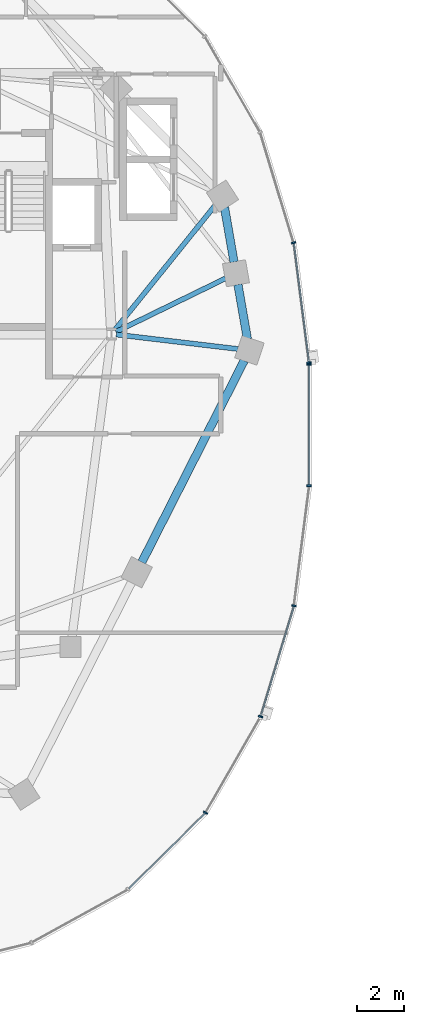
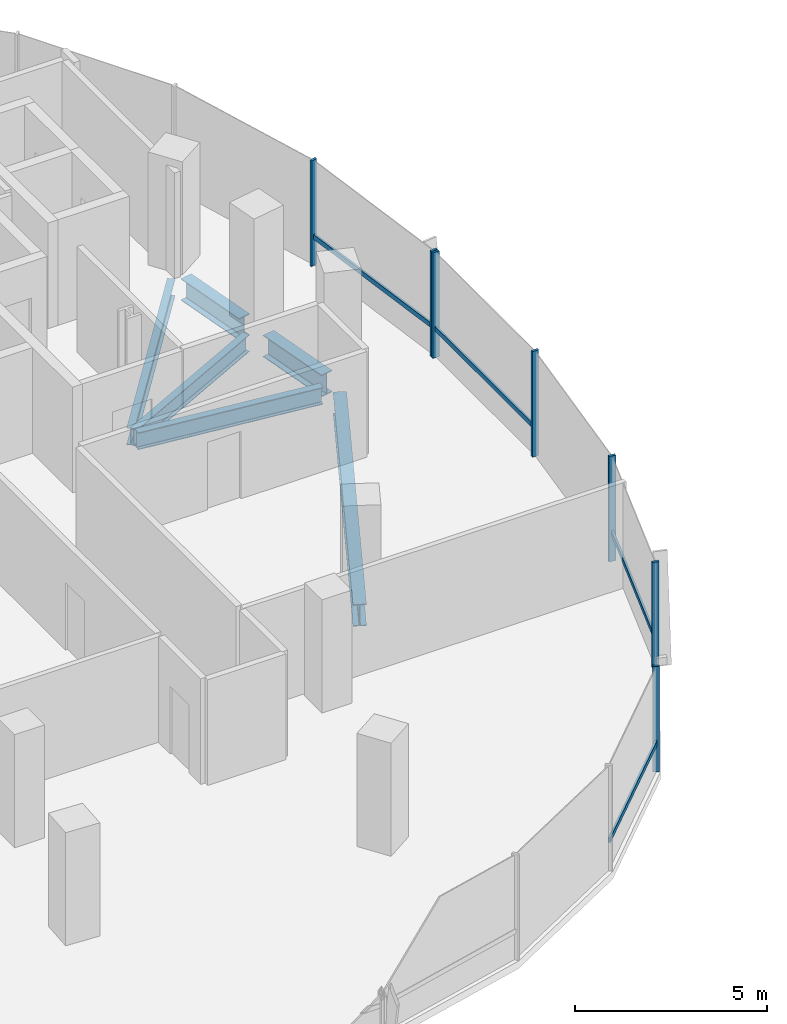
# One storey, part 4 of 22: 11 members, 6 beams, 2 elements without a shape of their own.
"""IFC4 building model written with IfcOpenShell, lengths in metres."""

from ifc_helpers import new_model, si_unit, direction, frame, origin, origin_2d, place, context, subcontext, project, spatial, rectangle, i_section, extrude, material, material_profile, profile_set, type_object, element, aggregate, save


model = new_model("IFC4")

# Units and contexts
model_context = context("Model", 3, precision=1e-05, world=origin(), true_north=direction((0.0, 1.0)))
body_context = subcontext(model_context, "Body", "Model", "MODEL_VIEW")
ifc_project = project(units=[si_unit("LENGTHUNIT", "METRE"), si_unit("AREAUNIT", "SQUARE_METRE"), si_unit("VOLUMEUNIT", "CUBIC_METRE"), si_unit("PLANEANGLEUNIT", "RADIAN"), si_unit("MASSUNIT", "GRAM", prefix="KILO"), si_unit("THERMODYNAMICTEMPERATUREUNIT", "KELVIN"), si_unit("POWERUNIT", "WATT")], contexts=[model_context])

# Site, building, storey
site_placement = place(None, origin())
site = spatial("IfcSite", under=ifc_project, at=site_placement, CompositionType="ELEMENT")
building_placement = place(site_placement, origin())
building = spatial("IfcBuilding", under=site, at=building_placement, Name="Cundina Bronze Exchange", CompositionType="ELEMENT")
storey_placement = place(building_placement, frame((0.0, 0.0, 165.60009765625)))
storey = spatial("IfcBuildingStorey", under=building, at=storey_placement, Name="L43", CompositionType="ELEMENT", Elevation=165.60009765625)

# Beams
ifc_material_1 = material(Name="Steel ASTM A992 Grade 50", Category="steel")
ifc_material_profile_1 = material_profile(ifc_material_1, i_section(OverallWidth=0.2119140625, OverallDepth=0.5439453125, WebThickness=0.01318359375, FlangeThickness=0.021240234375, FilletRadius=0.013916015625, at=origin_2d()), Name="W21X83", Category="steel")
ifc_profile_set_1 = profile_set([ifc_material_profile_1], Name="Steel ASTM A992 Grade 50")
beam_type_1 = type_object("IfcBeamType", Name="BM-FLR-W21A", PredefinedType="BEAM", material=ifc_profile_set_1)
beam_1_placement = place(storey_placement, frame((-21.247314453125, 3.8759765625, -0.51220703125), z_axis=(0.993036158382, -0.11780996624, 0.0), x_axis=(0.11780996624, 0.993036158382, 0.0)))
element("IfcBeam", 1, at=beam_1_placement, inside=storey, type_object=beam_type_1, Name="L43 Leg W Radial Floor Beam 00", PredefinedType="BEAM", context=body_context, shape_type="SweptSolid", body=[
    extrude(i_section(OverallWidth=0.2119140625, OverallDepth=0.5439453125, WebThickness=0.01318359375, FlangeThickness=0.021240234375, FilletRadius=0.013916015625, at=origin_2d()), origin(), (0.0, 0.0, 1.0), 5.249267578125),
])
beam_2_placement = place(storey_placement, frame((-21.2666015625, 3.989501953125, -0.51220703125), z_axis=(0.898604300669, 0.438759969481, 0.0), x_axis=(-0.438759969481, 0.898604300669, 0.0)))
element("IfcBeam", 2, at=beam_2_placement, inside=storey, type_object=beam_type_1, Name="L43 Leg W Radial Floor Beam 01", PredefinedType="BEAM", context=body_context, shape_type="SweptSolid", body=[
    extrude(i_section(OverallWidth=0.2119140625, OverallDepth=0.5439453125, WebThickness=0.01318359375, FlangeThickness=0.021240234375, FilletRadius=0.013916015625, at=origin_2d()), origin(), (0.0, 0.0, 1.0), 5.23388671875),
])
beam_3_placement = place(storey_placement, frame((-21.322021484375, 4.058837890625, -0.51220703125), z_axis=(0.627088684379, 0.778947868553, 0.0), x_axis=(-0.778947868553, 0.627088684379, 0.0)))
element("IfcBeam", 3, at=beam_3_placement, inside=storey, type_object=beam_type_1, Name="L43 Leg W Radial Floor Beam 02", PredefinedType="BEAM", context=body_context, shape_type="SweptSolid", body=[
    extrude(i_section(OverallWidth=0.2119140625, OverallDepth=0.5439453125, WebThickness=0.01318359375, FlangeThickness=0.021240234375, FilletRadius=0.013916015625, at=origin_2d()), origin(), (0.0, 0.0, 1.0), 6.882568359375),
])
ifc_material_profile_2 = material_profile(ifc_material_1, i_section(OverallWidth=0.35498046875, OverallDepth=0.695068359375, WebThickness=0.015380859375, FlangeThickness=0.02490234375, FilletRadius=0.01806640625, at=origin_2d()), Name="W27X146", Category="steel")
ifc_profile_set_2 = profile_set([ifc_material_profile_2], Name="Steel ASTM A992 Grade 50")
beam_type_2 = type_object("IfcBeamType", Name="BM-RING-W27", PredefinedType="USERDEFINED", material=ifc_profile_set_2)
for number, where, z_axis, x_axis, name in (
    (4, (-15.6337890625, 3.680908203125, -0.587646484375), (-0.171666718895, 0.985155083032, 0.0), (-0.985155083032, -0.171666718895, 0.0), "L43 W Perimeter Ring Girder 00"),
    (5, (-16.208740234375, 6.980712890625, -0.587646484375), (-0.171666718895, 0.985155083032, 0.0), (-0.985155083032, -0.171666718895, 0.0), "L43 W Perimeter Ring Girder 01"),
):
    element("IfcBeam", number, at=place(storey_placement, frame(where, z_axis=z_axis, x_axis=x_axis)), inside=storey, type_object=beam_type_2, Name=name, ObjectType="GIRDER", PredefinedType="USERDEFINED", context=body_context, shape_type="SweptSolid", body=[
        extrude(i_section(OverallWidth=0.35498046875, OverallDepth=0.695068359375, WebThickness=0.015380859375, FlangeThickness=0.02490234375, FilletRadius=0.01806640625, at=origin_2d()), origin(), (0.0, 0.0, 1.0), 2.37353515625),
    ])
beam_4_placement = place(storey_placement, frame((-20.154052734375, -5.864990234375, -0.587646484375), z_axis=(0.452834585354, 0.891594548159, 0.0), x_axis=(-0.891594548159, 0.452834585354, 0.0)))
element("IfcBeam", 6, at=beam_4_placement, inside=storey, type_object=beam_type_2, Name="L43 W Perimeter Ring Girder 13", ObjectType="GIRDER", PredefinedType="USERDEFINED", context=body_context, shape_type="SweptSolid", body=[
    extrude(i_section(OverallWidth=0.35498046875, OverallDepth=0.695068359375, WebThickness=0.015380859375, FlangeThickness=0.02490234375, FilletRadius=0.01806640625, at=origin_2d()), origin(), (0.0, 0.0, 1.0), 9.67919921875),
])

# Curtain wall, members
ifc_material_2 = material(Name="Anodised Bronze Aluminium 6063-T6", Category="aluminium")
curtain_wall_type = type_object("IfcCurtainWallType", Name="CWS-WST-PIN", PredefinedType="NOTDEFINED", material=ifc_material_2)
curtain_wall_1_placement = place(storey_placement, origin())
curtain_wall_1 = element("IfcCurtainWall", 7, at=curtain_wall_1_placement, inside=storey, type_object=curtain_wall_type, Name="L43 CW-04 Curtain Wall Run CWR-L43-W1", PredefinedType="NOTDEFINED")
ifc_material_profile_3 = material_profile(ifc_material_2, rectangle(XDim=0.070068359375, YDim=0.18994140625, at=origin_2d()), Name="AL70X190", Category="aluminium")
ifc_profile_set_3 = profile_set([ifc_material_profile_3], Name="Anodised Bronze Aluminium 6063-T6")
member_type_1 = type_object("IfcMemberType", Name="CWM-MUL-190", PredefinedType="MULLION", material=ifc_profile_set_3)
member_1_placement = place(storey_placement, frame((-12.998291015625, 2.676025390625, 0.0), z_axis=(0.0, 0.0, 1.0), x_axis=(-0.126545236492, 0.991960837494, 0.0)))
member_1 = element("IfcMember", 8, at=member_1_placement, type_object=member_type_1, Name="CW-04 Mullion 1", PredefinedType="MULLION", context=body_context, shape_type="SweptSolid", body=[
    extrude(rectangle(XDim=0.070068359375, YDim=0.18994140625, at=origin_2d()), origin(), (0.0, 0.0, 1.0), 3.35986328125),
])
member_2_placement = place(storey_placement, frame((-13.6591796875, 7.80859375, 0.0), z_axis=(0.0, 0.0, 1.0), x_axis=(-0.290034140915, 0.957016299288, 0.0)))
member_2 = element("IfcMember", 9, at=member_2_placement, type_object=member_type_1, Name="CW-04 Mullion 2", PredefinedType="MULLION", context=body_context, shape_type="SweptSolid", body=[
    extrude(rectangle(XDim=0.070068359375, YDim=0.18994140625, at=origin_2d()), origin(), (0.0, 0.0, 1.0), 3.35986328125),
])

curtain_wall_2_placement = place(storey_placement, origin())
curtain_wall_2 = element("IfcCurtainWall", 10, at=curtain_wall_2_placement, inside=storey, type_object=curtain_wall_type, Name="L43 CW-04 Curtain Wall Run CWR-L43-W4", PredefinedType="NOTDEFINED")
member_3_placement = place(storey_placement, frame((-17.42919921875, -16.588134765625, 0.0), z_axis=(0.0, 0.0, 1.0), x_axis=(0.498487739754, 0.866896748936, 0.0)))
member_3 = element("IfcMember", 11, at=member_3_placement, type_object=member_type_1, Name="CW-04 Mullion 4", PredefinedType="MULLION", context=body_context, shape_type="SweptSolid", body=[
    extrude(rectangle(XDim=0.070068359375, YDim=0.18994140625, at=origin_2d()), origin(), (0.0, 0.0, 1.0), 3.35986328125),
])
member_4_placement = place(storey_placement, frame((-15.07373046875, -12.4755859375, 0.0), z_axis=(0.0, 0.0, 1.0), x_axis=(0.290034140915, 0.957016299288, 0.0)))
member_4 = element("IfcMember", 12, at=member_4_placement, type_object=member_type_1, Name="CW-04 Mullion 5", PredefinedType="MULLION", context=body_context, shape_type="SweptSolid", body=[
    extrude(rectangle(XDim=0.070068359375, YDim=0.18994140625, at=origin_2d()), origin(), (0.0, 0.0, 1.0), 3.35986328125),
])
member_5_placement = place(storey_placement, frame((-13.642822265625, -7.731689453125, 0.0), z_axis=(0.0, 0.0, 1.0), x_axis=(0.126545236492, 0.991960837494, 0.0)))
member_5 = element("IfcMember", 13, at=member_5_placement, type_object=member_type_1, Name="CW-04 Mullion 6", PredefinedType="MULLION", context=body_context, shape_type="SweptSolid", body=[
    extrude(rectangle(XDim=0.070068359375, YDim=0.18994140625, at=origin_2d()), origin(), (0.0, 0.0, 1.0), 3.35986328125),
])
member_6_placement = place(storey_placement, frame((-12.992919921875, -2.593017578125, 0.0), z_axis=(0.0, 0.0, 1.0), x_axis=(0.0, 1.0, 0.0)))
member_6 = element("IfcMember", 14, at=member_6_placement, type_object=member_type_1, Name="CW-04 Mullion 7", PredefinedType="MULLION", context=body_context, shape_type="SweptSolid", body=[
    extrude(rectangle(XDim=0.070068359375, YDim=0.18994140625, at=origin_2d()), origin(), (0.0, 0.0, 1.0), 3.35986328125),
])
member_7_placement = place(storey_placement, frame((-12.992919921875, 2.593017578125, 0.0), z_axis=(0.0, 0.0, 1.0), x_axis=(0.0, 1.0, 0.0)))
member_7 = element("IfcMember", 15, at=member_7_placement, type_object=member_type_1, Name="CW-04 End Mullion", PredefinedType="MULLION", context=body_context, shape_type="SweptSolid", body=[
    extrude(rectangle(XDim=0.070068359375, YDim=0.18994140625, at=origin_2d()), origin(), (0.0, 0.0, 1.0), 3.35986328125),
])

# Member
ifc_material_profile_4 = material_profile(ifc_material_2, rectangle(XDim=0.06494140625, YDim=0.14990234375, at=origin_2d()), Name="AL65X150", Category="aluminium")
ifc_profile_set_4 = profile_set([ifc_material_profile_4], Name="Anodised Bronze Aluminium 6063-T6")
member_type_2 = type_object("IfcMemberType", Name="CWM-TRN-150", PredefinedType="USERDEFINED", material=ifc_profile_set_4)
member_8_placement = place(storey_placement, frame((-13.003173828125, 2.71435546875, 0.919921875), z_axis=(-0.12646340362, 0.991971273548, 0.0), x_axis=(-0.991971273548, -0.12646340362, 0.0)))
member_8 = element("IfcMember", 16, at=member_8_placement, type_object=member_type_2, Name="CW-04 Spandrel Transom 1", ObjectType="TRANSOM", PredefinedType="USERDEFINED", context=body_context, shape_type="SweptSolid", body=[
    extrude(rectangle(XDim=0.06494140625, YDim=0.14990234375, at=origin_2d()), origin(), (0.0, 0.0, 1.0), 5.0966796875),
])

aggregate(curtain_wall_1, [member_1, member_8, member_2])

member_9_placement = place(storey_placement, frame((-20.71337890625, -19.839599609375, 0.919921875), z_axis=(0.712005023839, 0.702174370102, 0.0), x_axis=(-0.702174370102, 0.712005023839, 0.0)))
member_9 = element("IfcMember", 17, at=member_9_placement, type_object=member_type_2, Name="CW-04 Spandrel Transom 3", ObjectType="TRANSOM", PredefinedType="USERDEFINED", context=body_context, shape_type="SweptSolid", body=[
    extrude(rectangle(XDim=0.06494140625, YDim=0.14990234375, at=origin_2d()), origin(), (0.0, 0.0, 1.0), 4.594482421875),
])

member_10_placement = place(storey_placement, frame((-15.062744140625, -12.43896484375, 0.919921875), z_axis=(0.290051855969, 0.957010930371, 0.0), x_axis=(-0.957010930371, 0.290051855969, 0.0)))
member_10 = element("IfcMember", 18, at=member_10_placement, type_object=member_type_2, Name="CW-04 Spandrel Transom 5", ObjectType="TRANSOM", PredefinedType="USERDEFINED", context=body_context, shape_type="SweptSolid", body=[
    extrude(rectangle(XDim=0.06494140625, YDim=0.14990234375, at=origin_2d()), origin(), (0.0, 0.0, 1.0), 4.876953125),
])

member_11_placement = place(storey_placement, frame((-12.992919921875, -2.554443359375, 0.919921875), z_axis=(0.0, 1.0, 0.0), x_axis=(-1.0, 0.0, 0.0)))
member_11 = element("IfcMember", 19, at=member_11_placement, type_object=member_type_2, Name="CW-04 Spandrel Transom 7", ObjectType="TRANSOM", PredefinedType="USERDEFINED", context=body_context, shape_type="SweptSolid", body=[
    extrude(rectangle(XDim=0.06494140625, YDim=0.14990234375, at=origin_2d()), origin(), (0.0, 0.0, 1.0), 5.10888671875),
])

aggregate(curtain_wall_2, [member_9, member_3, member_4, member_10, member_5, member_6, member_7, member_11])

save(model, "model.ifc")
